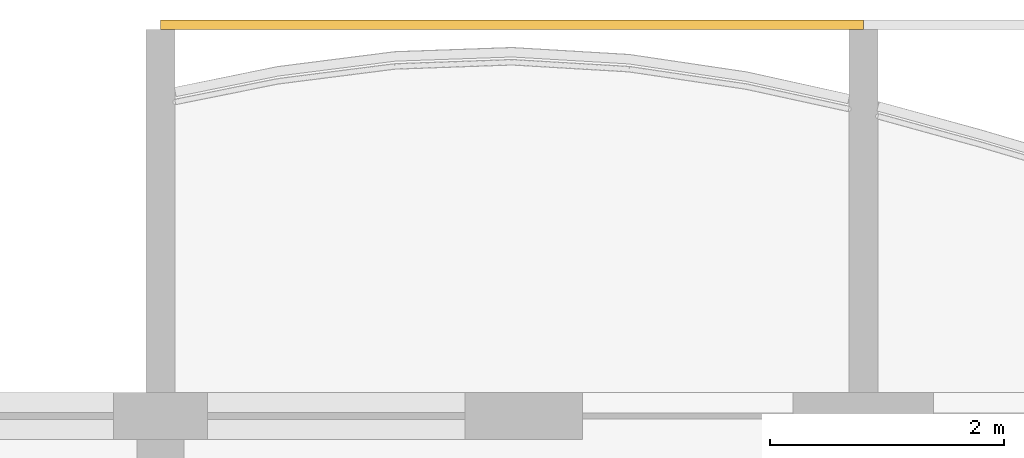
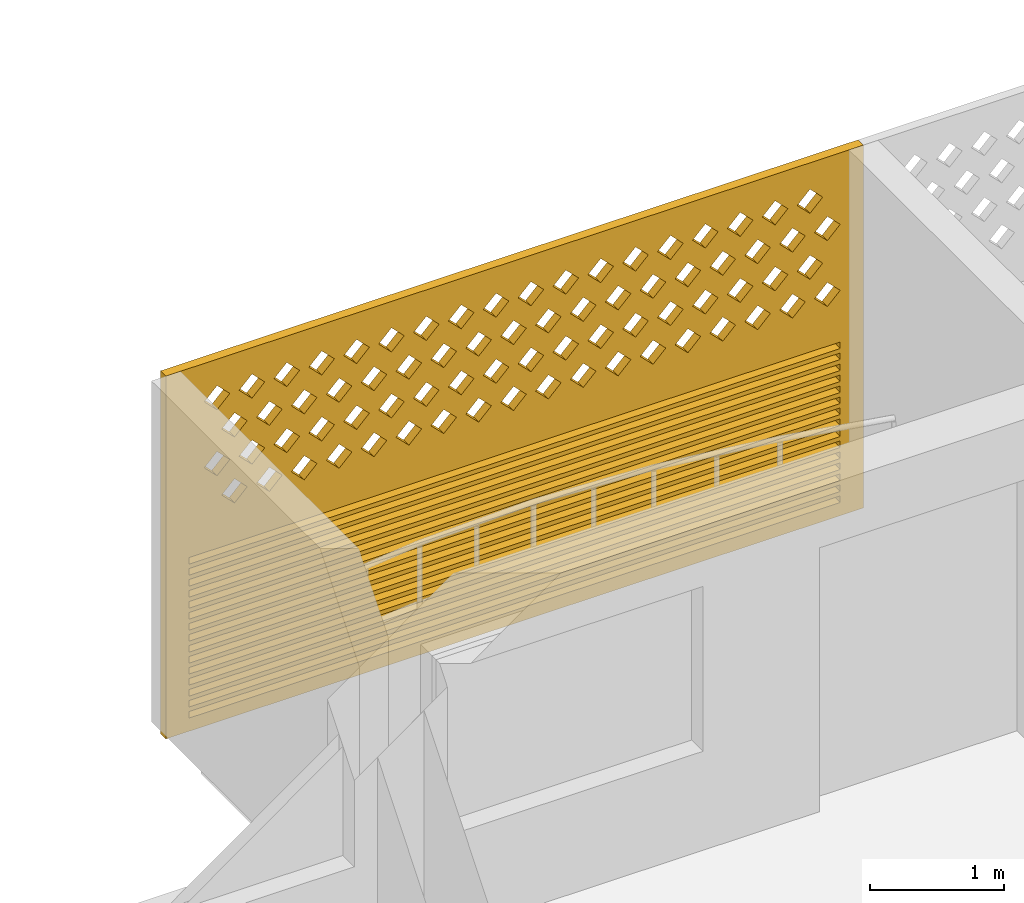
# One storey, part 30 of 39: 1 covering.
"""IFC4 building model written with IfcOpenShell, lengths in metres."""

from ifc_helpers import new_model, si_unit, direction, frame, origin, place, context, subcontext, project, spatial, polyline, outline, extrude, source, transform, mapped, material, material_profile, profile_set, type_object, element, save


model = new_model("IFC4")

# Units and contexts
model_context = context("Model", 3, precision=1e-05, world=origin(), true_north=direction((0.0, 1.0)))
body_context = subcontext(model_context, "Body", "Model", "MODEL_VIEW")
ifc_project = project(units=[si_unit("LENGTHUNIT", "METRE"), si_unit("AREAUNIT", "SQUARE_METRE"), si_unit("VOLUMEUNIT", "CUBIC_METRE"), si_unit("PLANEANGLEUNIT", "RADIAN"), si_unit("MASSUNIT", "GRAM", prefix="KILO")], contexts=[model_context])

# Site, building, storey
site_placement = place(None, origin())
site = spatial("IfcSite", under=ifc_project, at=site_placement, CompositionType="ELEMENT")
building_placement = place(site_placement, origin())
building = spatial("IfcBuilding", under=site, at=building_placement, Name="Poui Terraces", CompositionType="ELEMENT")
storey_placement = place(building_placement, frame((0.0, 0.0, 63.0)))
storey = spatial("IfcBuildingStorey", under=building, at=storey_placement, Name="L17", CompositionType="ELEMENT", Elevation=63.0)

# Covering
ifc_material = material(Name="Terracotta screen", Category="masonry")
ifc_material_profile = material_profile(ifc_material, outline(polyline([(-3.0, -1.64990234375), (3.0, -1.64990234375), (3.0, 1.64990234375), (-3.0, 1.64990234375), (-3.0, -1.64990234375)]), holes=[polyline([(-2.800048828125, 0.39990234375), (-2.68994140625, 0.2900390625), (-2.580078125, 0.39990234375), (-2.68994140625, 0.510009765625), (-2.800048828125, 0.39990234375)]), polyline([(-2.5, 0.39990234375), (-2.389892578125, 0.2900390625), (-2.280029296875, 0.39990234375), (-2.389892578125, 0.510009765625), (-2.5, 0.39990234375)]), polyline([(-2.199951171875, 0.39990234375), (-2.090087890625, 0.2900390625), (-1.97998046875, 0.39990234375), (-2.090087890625, 0.510009765625), (-2.199951171875, 0.39990234375)]), polyline([(-1.89990234375, 0.39990234375), (-1.7900390625, 0.2900390625), (-1.679931640625, 0.39990234375), (-1.7900390625, 0.510009765625), (-1.89990234375, 0.39990234375)]), polyline([(-1.60009765625, 0.39990234375), (-1.489990234375, 0.2900390625), (-1.3798828125, 0.39990234375), (-1.489990234375, 0.510009765625), (-1.60009765625, 0.39990234375)]), polyline([(-1.300048828125, 0.39990234375), (-1.18994140625, 0.2900390625), (-1.080078125, 0.39990234375), (-1.18994140625, 0.510009765625), (-1.300048828125, 0.39990234375)]), polyline([(-1.0, 0.39990234375), (-0.889892578125, 0.2900390625), (-0.780029296875, 0.39990234375), (-0.889892578125, 0.510009765625), (-1.0, 0.39990234375)]), polyline([(-0.699951171875, 0.39990234375), (-0.590087890625, 0.2900390625), (-0.47998046875, 0.39990234375), (-0.590087890625, 0.510009765625), (-0.699951171875, 0.39990234375)]), polyline([(-0.39990234375, 0.39990234375), (-0.2900390625, 0.2900390625), (-0.179931640625, 0.39990234375), (-0.2900390625, 0.510009765625), (-0.39990234375, 0.39990234375)]), polyline([(-0.10009765625, 0.39990234375), (0.010009765625, 0.2900390625), (0.1201171875, 0.39990234375), (0.010009765625, 0.510009765625), (-0.10009765625, 0.39990234375)]), polyline([(0.199951171875, 0.39990234375), (0.31005859375, 0.2900390625), (0.419921875, 0.39990234375), (0.31005859375, 0.510009765625), (0.199951171875, 0.39990234375)]), polyline([(0.5, 0.39990234375), (0.610107421875, 0.2900390625), (0.719970703125, 0.39990234375), (0.610107421875, 0.510009765625), (0.5, 0.39990234375)]), polyline([(0.800048828125, 0.39990234375), (0.909912109375, 0.2900390625), (1.02001953125, 0.39990234375), (0.909912109375, 0.510009765625), (0.800048828125, 0.39990234375)]), polyline([(1.10009765625, 0.39990234375), (1.2099609375, 0.2900390625), (1.320068359375, 0.39990234375), (1.2099609375, 0.510009765625), (1.10009765625, 0.39990234375)]), polyline([(1.39990234375, 0.39990234375), (1.510009765625, 0.2900390625), (1.6201171875, 0.39990234375), (1.510009765625, 0.510009765625), (1.39990234375, 0.39990234375)]), polyline([(1.699951171875, 0.39990234375), (1.81005859375, 0.2900390625), (1.919921875, 0.39990234375), (1.81005859375, 0.510009765625), (1.699951171875, 0.39990234375)]), polyline([(2.0, 0.39990234375), (2.110107421875, 0.2900390625), (2.219970703125, 0.39990234375), (2.110107421875, 0.510009765625), (2.0, 0.39990234375)]), polyline([(2.300048828125, 0.39990234375), (2.409912109375, 0.2900390625), (2.52001953125, 0.39990234375), (2.409912109375, 0.510009765625), (2.300048828125, 0.39990234375)]), polyline([(-2.64990234375, 0.699951171875), (-2.5400390625, 0.590087890625), (-2.429931640625, 0.699951171875), (-2.5400390625, 0.81005859375), (-2.64990234375, 0.699951171875)]), polyline([(-2.35009765625, 0.699951171875), (-2.239990234375, 0.590087890625), (-2.1298828125, 0.699951171875), (-2.239990234375, 0.81005859375), (-2.35009765625, 0.699951171875)]), polyline([(-2.050048828125, 0.699951171875), (-1.93994140625, 0.590087890625), (-1.830078125, 0.699951171875), (-1.93994140625, 0.81005859375), (-2.050048828125, 0.699951171875)]), polyline([(-1.75, 0.699951171875), (-1.639892578125, 0.590087890625), (-1.530029296875, 0.699951171875), (-1.639892578125, 0.81005859375), (-1.75, 0.699951171875)]), polyline([(-1.449951171875, 0.699951171875), (-1.340087890625, 0.590087890625), (-1.22998046875, 0.699951171875), (-1.340087890625, 0.81005859375), (-1.449951171875, 0.699951171875)]), polyline([(-1.14990234375, 0.699951171875), (-1.0400390625, 0.590087890625), (-0.929931640625, 0.699951171875), (-1.0400390625, 0.81005859375), (-1.14990234375, 0.699951171875)]), polyline([(-0.85009765625, 0.699951171875), (-0.739990234375, 0.590087890625), (-0.6298828125, 0.699951171875), (-0.739990234375, 0.81005859375), (-0.85009765625, 0.699951171875)]), polyline([(-0.550048828125, 0.699951171875), (-0.43994140625, 0.590087890625), (-0.330078125, 0.699951171875), (-0.43994140625, 0.81005859375), (-0.550048828125, 0.699951171875)]), polyline([(-0.25, 0.699951171875), (-0.139892578125, 0.590087890625), (-0.030029296875, 0.699951171875), (-0.139892578125, 0.81005859375), (-0.25, 0.699951171875)]), polyline([(0.050048828125, 0.699951171875), (0.159912109375, 0.590087890625), (0.27001953125, 0.699951171875), (0.159912109375, 0.81005859375), (0.050048828125, 0.699951171875)]), polyline([(0.35009765625, 0.699951171875), (0.4599609375, 0.590087890625), (0.570068359375, 0.699951171875), (0.4599609375, 0.81005859375), (0.35009765625, 0.699951171875)]), polyline([(0.64990234375, 0.699951171875), (0.760009765625, 0.590087890625), (0.8701171875, 0.699951171875), (0.760009765625, 0.81005859375), (0.64990234375, 0.699951171875)]), polyline([(0.949951171875, 0.699951171875), (1.06005859375, 0.590087890625), (1.169921875, 0.699951171875), (1.06005859375, 0.81005859375), (0.949951171875, 0.699951171875)]), polyline([(1.25, 0.699951171875), (1.360107421875, 0.590087890625), (1.469970703125, 0.699951171875), (1.360107421875, 0.81005859375), (1.25, 0.699951171875)]), polyline([(1.550048828125, 0.699951171875), (1.659912109375, 0.590087890625), (1.77001953125, 0.699951171875), (1.659912109375, 0.81005859375), (1.550048828125, 0.699951171875)]), polyline([(1.85009765625, 0.699951171875), (1.9599609375, 0.590087890625), (2.070068359375, 0.699951171875), (1.9599609375, 0.81005859375), (1.85009765625, 0.699951171875)]), polyline([(2.14990234375, 0.699951171875), (2.260009765625, 0.590087890625), (2.3701171875, 0.699951171875), (2.260009765625, 0.81005859375), (2.14990234375, 0.699951171875)]), polyline([(2.449951171875, 0.699951171875), (2.56005859375, 0.590087890625), (2.669921875, 0.699951171875), (2.56005859375, 0.81005859375), (2.449951171875, 0.699951171875)]), polyline([(-2.800048828125, 1.0), (-2.68994140625, 0.889892578125), (-2.580078125, 1.0), (-2.68994140625, 1.110107421875), (-2.800048828125, 1.0)]), polyline([(-2.5, 1.0), (-2.389892578125, 0.889892578125), (-2.280029296875, 1.0), (-2.389892578125, 1.110107421875), (-2.5, 1.0)]), polyline([(-2.199951171875, 1.0), (-2.090087890625, 0.889892578125), (-1.97998046875, 1.0), (-2.090087890625, 1.110107421875), (-2.199951171875, 1.0)]), polyline([(-1.89990234375, 1.0), (-1.7900390625, 0.889892578125), (-1.679931640625, 1.0), (-1.7900390625, 1.110107421875), (-1.89990234375, 1.0)]), polyline([(-1.60009765625, 1.0), (-1.489990234375, 0.889892578125), (-1.3798828125, 1.0), (-1.489990234375, 1.110107421875), (-1.60009765625, 1.0)]), polyline([(-1.300048828125, 1.0), (-1.18994140625, 0.889892578125), (-1.080078125, 1.0), (-1.18994140625, 1.110107421875), (-1.300048828125, 1.0)]), polyline([(-1.0, 1.0), (-0.889892578125, 0.889892578125), (-0.780029296875, 1.0), (-0.889892578125, 1.110107421875), (-1.0, 1.0)]), polyline([(-0.699951171875, 1.0), (-0.590087890625, 0.889892578125), (-0.47998046875, 1.0), (-0.590087890625, 1.110107421875), (-0.699951171875, 1.0)]), polyline([(-0.39990234375, 1.0), (-0.2900390625, 0.889892578125), (-0.179931640625, 1.0), (-0.2900390625, 1.110107421875), (-0.39990234375, 1.0)]), polyline([(-0.10009765625, 1.0), (0.010009765625, 0.889892578125), (0.1201171875, 1.0), (0.010009765625, 1.110107421875), (-0.10009765625, 1.0)]), polyline([(0.199951171875, 1.0), (0.31005859375, 0.889892578125), (0.419921875, 1.0), (0.31005859375, 1.110107421875), (0.199951171875, 1.0)]), polyline([(0.5, 1.0), (0.610107421875, 0.889892578125), (0.719970703125, 1.0), (0.610107421875, 1.110107421875), (0.5, 1.0)]), polyline([(0.800048828125, 1.0), (0.909912109375, 0.889892578125), (1.02001953125, 1.0), (0.909912109375, 1.110107421875), (0.800048828125, 1.0)]), polyline([(1.10009765625, 1.0), (1.2099609375, 0.889892578125), (1.320068359375, 1.0), (1.2099609375, 1.110107421875), (1.10009765625, 1.0)]), polyline([(1.39990234375, 1.0), (1.510009765625, 0.889892578125), (1.6201171875, 1.0), (1.510009765625, 1.110107421875), (1.39990234375, 1.0)]), polyline([(1.699951171875, 1.0), (1.81005859375, 0.889892578125), (1.919921875, 1.0), (1.81005859375, 1.110107421875), (1.699951171875, 1.0)]), polyline([(2.0, 1.0), (2.110107421875, 0.889892578125), (2.219970703125, 1.0), (2.110107421875, 1.110107421875), (2.0, 1.0)]), polyline([(2.300048828125, 1.0), (2.409912109375, 0.889892578125), (2.52001953125, 1.0), (2.409912109375, 1.110107421875), (2.300048828125, 1.0)]), polyline([(-2.64990234375, 1.300048828125), (-2.5400390625, 1.18994140625), (-2.429931640625, 1.300048828125), (-2.5400390625, 1.409912109375), (-2.64990234375, 1.300048828125)]), polyline([(-2.35009765625, 1.300048828125), (-2.239990234375, 1.18994140625), (-2.1298828125, 1.300048828125), (-2.239990234375, 1.409912109375), (-2.35009765625, 1.300048828125)]), polyline([(-2.050048828125, 1.300048828125), (-1.93994140625, 1.18994140625), (-1.830078125, 1.300048828125), (-1.93994140625, 1.409912109375), (-2.050048828125, 1.300048828125)]), polyline([(-1.75, 1.300048828125), (-1.639892578125, 1.18994140625), (-1.530029296875, 1.300048828125), (-1.639892578125, 1.409912109375), (-1.75, 1.300048828125)]), polyline([(-1.449951171875, 1.300048828125), (-1.340087890625, 1.18994140625), (-1.22998046875, 1.300048828125), (-1.340087890625, 1.409912109375), (-1.449951171875, 1.300048828125)]), polyline([(-1.14990234375, 1.300048828125), (-1.0400390625, 1.18994140625), (-0.929931640625, 1.300048828125), (-1.0400390625, 1.409912109375), (-1.14990234375, 1.300048828125)]), polyline([(-0.85009765625, 1.300048828125), (-0.739990234375, 1.18994140625), (-0.6298828125, 1.300048828125), (-0.739990234375, 1.409912109375), (-0.85009765625, 1.300048828125)]), polyline([(-0.550048828125, 1.300048828125), (-0.43994140625, 1.18994140625), (-0.330078125, 1.300048828125), (-0.43994140625, 1.409912109375), (-0.550048828125, 1.300048828125)]), polyline([(-0.25, 1.300048828125), (-0.139892578125, 1.18994140625), (-0.030029296875, 1.300048828125), (-0.139892578125, 1.409912109375), (-0.25, 1.300048828125)]), polyline([(0.050048828125, 1.300048828125), (0.159912109375, 1.18994140625), (0.27001953125, 1.300048828125), (0.159912109375, 1.409912109375), (0.050048828125, 1.300048828125)]), polyline([(0.35009765625, 1.300048828125), (0.4599609375, 1.18994140625), (0.570068359375, 1.300048828125), (0.4599609375, 1.409912109375), (0.35009765625, 1.300048828125)]), polyline([(0.64990234375, 1.300048828125), (0.760009765625, 1.18994140625), (0.8701171875, 1.300048828125), (0.760009765625, 1.409912109375), (0.64990234375, 1.300048828125)]), polyline([(0.949951171875, 1.300048828125), (1.06005859375, 1.18994140625), (1.169921875, 1.300048828125), (1.06005859375, 1.409912109375), (0.949951171875, 1.300048828125)]), polyline([(1.25, 1.300048828125), (1.360107421875, 1.18994140625), (1.469970703125, 1.300048828125), (1.360107421875, 1.409912109375), (1.25, 1.300048828125)]), polyline([(1.550048828125, 1.300048828125), (1.659912109375, 1.18994140625), (1.77001953125, 1.300048828125), (1.659912109375, 1.409912109375), (1.550048828125, 1.300048828125)]), polyline([(1.85009765625, 1.300048828125), (1.9599609375, 1.18994140625), (2.070068359375, 1.300048828125), (1.9599609375, 1.409912109375), (1.85009765625, 1.300048828125)]), polyline([(2.14990234375, 1.300048828125), (2.260009765625, 1.18994140625), (2.3701171875, 1.300048828125), (2.260009765625, 1.409912109375), (2.14990234375, 1.300048828125)]), polyline([(2.449951171875, 1.300048828125), (2.56005859375, 1.18994140625), (2.669921875, 1.300048828125), (2.56005859375, 1.409912109375), (2.449951171875, 1.300048828125)]), polyline([(-2.800048828125, -1.530029296875), (2.800048828125, -1.530029296875), (2.800048828125, -1.469970703125), (-2.800048828125, -1.469970703125), (-2.800048828125, -1.530029296875)]), polyline([(-2.800048828125, -1.429931640625), (2.800048828125, -1.429931640625), (2.800048828125, -1.3701171875), (-2.800048828125, -1.3701171875), (-2.800048828125, -1.429931640625)]), polyline([(-2.800048828125, -1.330078125), (2.800048828125, -1.330078125), (2.800048828125, -1.27001953125), (-2.800048828125, -1.27001953125), (-2.800048828125, -1.330078125)]), polyline([(-2.800048828125, -1.22998046875), (2.800048828125, -1.22998046875), (2.800048828125, -1.169921875), (-2.800048828125, -1.169921875), (-2.800048828125, -1.22998046875)]), polyline([(-2.800048828125, -1.1298828125), (2.800048828125, -1.1298828125), (2.800048828125, -1.070068359375), (-2.800048828125, -1.070068359375), (-2.800048828125, -1.1298828125)]), polyline([(-2.800048828125, -1.030029296875), (2.800048828125, -1.030029296875), (2.800048828125, -0.969970703125), (-2.800048828125, -0.969970703125), (-2.800048828125, -1.030029296875)]), polyline([(-2.800048828125, -0.929931640625), (2.800048828125, -0.929931640625), (2.800048828125, -0.8701171875), (-2.800048828125, -0.8701171875), (-2.800048828125, -0.929931640625)]), polyline([(-2.800048828125, -0.830078125), (2.800048828125, -0.830078125), (2.800048828125, -0.77001953125), (-2.800048828125, -0.77001953125), (-2.800048828125, -0.830078125)]), polyline([(-2.800048828125, -0.72998046875), (2.800048828125, -0.72998046875), (2.800048828125, -0.669921875), (-2.800048828125, -0.669921875), (-2.800048828125, -0.72998046875)]), polyline([(-2.800048828125, -0.6298828125), (2.800048828125, -0.6298828125), (2.800048828125, -0.570068359375), (-2.800048828125, -0.570068359375), (-2.800048828125, -0.6298828125)]), polyline([(-2.800048828125, -0.530029296875), (2.800048828125, -0.530029296875), (2.800048828125, -0.469970703125), (-2.800048828125, -0.469970703125), (-2.800048828125, -0.530029296875)]), polyline([(-2.800048828125, -0.429931640625), (2.800048828125, -0.429931640625), (2.800048828125, -0.3701171875), (-2.800048828125, -0.3701171875), (-2.800048828125, -0.429931640625)]), polyline([(-2.800048828125, -0.330078125), (2.800048828125, -0.330078125), (2.800048828125, -0.27001953125), (-2.800048828125, -0.27001953125), (-2.800048828125, -0.330078125)]), polyline([(-2.800048828125, -0.22998046875), (2.800048828125, -0.22998046875), (2.800048828125, -0.169921875), (-2.800048828125, -0.169921875), (-2.800048828125, -0.22998046875)]), polyline([(-2.800048828125, -0.1298828125), (2.800048828125, -0.1298828125), (2.800048828125, -0.070068359375), (-2.800048828125, -0.070068359375), (-2.800048828125, -0.1298828125)])]), Name="TERRACOTTA SCREEN AND JALOUSIE LOUVRE 6000X3300")
ifc_profile_set = profile_set([ifc_material_profile], Name="Terracotta screen")
covering_type = type_object("IfcCoveringType", Name="TERRACOTTA SCREEN AND JALOUSIE LOUVRE 6000X3300", PredefinedType="CLADDING", material=ifc_profile_set)
shared_shape = source(origin(), body_context, "Body", "SweptSolid", [
    extrude(outline(polyline([(-3.0, -1.64990234375), (3.0, -1.64990234375), (3.0, 1.64990234375), (-3.0, 1.64990234375), (-3.0, -1.64990234375)]), holes=[polyline([(-2.800048828125, 0.39990234375), (-2.68994140625, 0.2900390625), (-2.580078125, 0.39990234375), (-2.68994140625, 0.510009765625), (-2.800048828125, 0.39990234375)]), polyline([(-2.5, 0.39990234375), (-2.389892578125, 0.2900390625), (-2.280029296875, 0.39990234375), (-2.389892578125, 0.510009765625), (-2.5, 0.39990234375)]), polyline([(-2.199951171875, 0.39990234375), (-2.090087890625, 0.2900390625), (-1.97998046875, 0.39990234375), (-2.090087890625, 0.510009765625), (-2.199951171875, 0.39990234375)]), polyline([(-1.89990234375, 0.39990234375), (-1.7900390625, 0.2900390625), (-1.679931640625, 0.39990234375), (-1.7900390625, 0.510009765625), (-1.89990234375, 0.39990234375)]), polyline([(-1.60009765625, 0.39990234375), (-1.489990234375, 0.2900390625), (-1.3798828125, 0.39990234375), (-1.489990234375, 0.510009765625), (-1.60009765625, 0.39990234375)]), polyline([(-1.300048828125, 0.39990234375), (-1.18994140625, 0.2900390625), (-1.080078125, 0.39990234375), (-1.18994140625, 0.510009765625), (-1.300048828125, 0.39990234375)]), polyline([(-1.0, 0.39990234375), (-0.889892578125, 0.2900390625), (-0.780029296875, 0.39990234375), (-0.889892578125, 0.510009765625), (-1.0, 0.39990234375)]), polyline([(-0.699951171875, 0.39990234375), (-0.590087890625, 0.2900390625), (-0.47998046875, 0.39990234375), (-0.590087890625, 0.510009765625), (-0.699951171875, 0.39990234375)]), polyline([(-0.39990234375, 0.39990234375), (-0.2900390625, 0.2900390625), (-0.179931640625, 0.39990234375), (-0.2900390625, 0.510009765625), (-0.39990234375, 0.39990234375)]), polyline([(-0.10009765625, 0.39990234375), (0.010009765625, 0.2900390625), (0.1201171875, 0.39990234375), (0.010009765625, 0.510009765625), (-0.10009765625, 0.39990234375)]), polyline([(0.199951171875, 0.39990234375), (0.31005859375, 0.2900390625), (0.419921875, 0.39990234375), (0.31005859375, 0.510009765625), (0.199951171875, 0.39990234375)]), polyline([(0.5, 0.39990234375), (0.610107421875, 0.2900390625), (0.719970703125, 0.39990234375), (0.610107421875, 0.510009765625), (0.5, 0.39990234375)]), polyline([(0.800048828125, 0.39990234375), (0.909912109375, 0.2900390625), (1.02001953125, 0.39990234375), (0.909912109375, 0.510009765625), (0.800048828125, 0.39990234375)]), polyline([(1.10009765625, 0.39990234375), (1.2099609375, 0.2900390625), (1.320068359375, 0.39990234375), (1.2099609375, 0.510009765625), (1.10009765625, 0.39990234375)]), polyline([(1.39990234375, 0.39990234375), (1.510009765625, 0.2900390625), (1.6201171875, 0.39990234375), (1.510009765625, 0.510009765625), (1.39990234375, 0.39990234375)]), polyline([(1.699951171875, 0.39990234375), (1.81005859375, 0.2900390625), (1.919921875, 0.39990234375), (1.81005859375, 0.510009765625), (1.699951171875, 0.39990234375)]), polyline([(2.0, 0.39990234375), (2.110107421875, 0.2900390625), (2.219970703125, 0.39990234375), (2.110107421875, 0.510009765625), (2.0, 0.39990234375)]), polyline([(2.300048828125, 0.39990234375), (2.409912109375, 0.2900390625), (2.52001953125, 0.39990234375), (2.409912109375, 0.510009765625), (2.300048828125, 0.39990234375)]), polyline([(-2.64990234375, 0.699951171875), (-2.5400390625, 0.590087890625), (-2.429931640625, 0.699951171875), (-2.5400390625, 0.81005859375), (-2.64990234375, 0.699951171875)]), polyline([(-2.35009765625, 0.699951171875), (-2.239990234375, 0.590087890625), (-2.1298828125, 0.699951171875), (-2.239990234375, 0.81005859375), (-2.35009765625, 0.699951171875)]), polyline([(-2.050048828125, 0.699951171875), (-1.93994140625, 0.590087890625), (-1.830078125, 0.699951171875), (-1.93994140625, 0.81005859375), (-2.050048828125, 0.699951171875)]), polyline([(-1.75, 0.699951171875), (-1.639892578125, 0.590087890625), (-1.530029296875, 0.699951171875), (-1.639892578125, 0.81005859375), (-1.75, 0.699951171875)]), polyline([(-1.449951171875, 0.699951171875), (-1.340087890625, 0.590087890625), (-1.22998046875, 0.699951171875), (-1.340087890625, 0.81005859375), (-1.449951171875, 0.699951171875)]), polyline([(-1.14990234375, 0.699951171875), (-1.0400390625, 0.590087890625), (-0.929931640625, 0.699951171875), (-1.0400390625, 0.81005859375), (-1.14990234375, 0.699951171875)]), polyline([(-0.85009765625, 0.699951171875), (-0.739990234375, 0.590087890625), (-0.6298828125, 0.699951171875), (-0.739990234375, 0.81005859375), (-0.85009765625, 0.699951171875)]), polyline([(-0.550048828125, 0.699951171875), (-0.43994140625, 0.590087890625), (-0.330078125, 0.699951171875), (-0.43994140625, 0.81005859375), (-0.550048828125, 0.699951171875)]), polyline([(-0.25, 0.699951171875), (-0.139892578125, 0.590087890625), (-0.030029296875, 0.699951171875), (-0.139892578125, 0.81005859375), (-0.25, 0.699951171875)]), polyline([(0.050048828125, 0.699951171875), (0.159912109375, 0.590087890625), (0.27001953125, 0.699951171875), (0.159912109375, 0.81005859375), (0.050048828125, 0.699951171875)]), polyline([(0.35009765625, 0.699951171875), (0.4599609375, 0.590087890625), (0.570068359375, 0.699951171875), (0.4599609375, 0.81005859375), (0.35009765625, 0.699951171875)]), polyline([(0.64990234375, 0.699951171875), (0.760009765625, 0.590087890625), (0.8701171875, 0.699951171875), (0.760009765625, 0.81005859375), (0.64990234375, 0.699951171875)]), polyline([(0.949951171875, 0.699951171875), (1.06005859375, 0.590087890625), (1.169921875, 0.699951171875), (1.06005859375, 0.81005859375), (0.949951171875, 0.699951171875)]), polyline([(1.25, 0.699951171875), (1.360107421875, 0.590087890625), (1.469970703125, 0.699951171875), (1.360107421875, 0.81005859375), (1.25, 0.699951171875)]), polyline([(1.550048828125, 0.699951171875), (1.659912109375, 0.590087890625), (1.77001953125, 0.699951171875), (1.659912109375, 0.81005859375), (1.550048828125, 0.699951171875)]), polyline([(1.85009765625, 0.699951171875), (1.9599609375, 0.590087890625), (2.070068359375, 0.699951171875), (1.9599609375, 0.81005859375), (1.85009765625, 0.699951171875)]), polyline([(2.14990234375, 0.699951171875), (2.260009765625, 0.590087890625), (2.3701171875, 0.699951171875), (2.260009765625, 0.81005859375), (2.14990234375, 0.699951171875)]), polyline([(2.449951171875, 0.699951171875), (2.56005859375, 0.590087890625), (2.669921875, 0.699951171875), (2.56005859375, 0.81005859375), (2.449951171875, 0.699951171875)]), polyline([(-2.800048828125, 1.0), (-2.68994140625, 0.889892578125), (-2.580078125, 1.0), (-2.68994140625, 1.110107421875), (-2.800048828125, 1.0)]), polyline([(-2.5, 1.0), (-2.389892578125, 0.889892578125), (-2.280029296875, 1.0), (-2.389892578125, 1.110107421875), (-2.5, 1.0)]), polyline([(-2.199951171875, 1.0), (-2.090087890625, 0.889892578125), (-1.97998046875, 1.0), (-2.090087890625, 1.110107421875), (-2.199951171875, 1.0)]), polyline([(-1.89990234375, 1.0), (-1.7900390625, 0.889892578125), (-1.679931640625, 1.0), (-1.7900390625, 1.110107421875), (-1.89990234375, 1.0)]), polyline([(-1.60009765625, 1.0), (-1.489990234375, 0.889892578125), (-1.3798828125, 1.0), (-1.489990234375, 1.110107421875), (-1.60009765625, 1.0)]), polyline([(-1.300048828125, 1.0), (-1.18994140625, 0.889892578125), (-1.080078125, 1.0), (-1.18994140625, 1.110107421875), (-1.300048828125, 1.0)]), polyline([(-1.0, 1.0), (-0.889892578125, 0.889892578125), (-0.780029296875, 1.0), (-0.889892578125, 1.110107421875), (-1.0, 1.0)]), polyline([(-0.699951171875, 1.0), (-0.590087890625, 0.889892578125), (-0.47998046875, 1.0), (-0.590087890625, 1.110107421875), (-0.699951171875, 1.0)]), polyline([(-0.39990234375, 1.0), (-0.2900390625, 0.889892578125), (-0.179931640625, 1.0), (-0.2900390625, 1.110107421875), (-0.39990234375, 1.0)]), polyline([(-0.10009765625, 1.0), (0.010009765625, 0.889892578125), (0.1201171875, 1.0), (0.010009765625, 1.110107421875), (-0.10009765625, 1.0)]), polyline([(0.199951171875, 1.0), (0.31005859375, 0.889892578125), (0.419921875, 1.0), (0.31005859375, 1.110107421875), (0.199951171875, 1.0)]), polyline([(0.5, 1.0), (0.610107421875, 0.889892578125), (0.719970703125, 1.0), (0.610107421875, 1.110107421875), (0.5, 1.0)]), polyline([(0.800048828125, 1.0), (0.909912109375, 0.889892578125), (1.02001953125, 1.0), (0.909912109375, 1.110107421875), (0.800048828125, 1.0)]), polyline([(1.10009765625, 1.0), (1.2099609375, 0.889892578125), (1.320068359375, 1.0), (1.2099609375, 1.110107421875), (1.10009765625, 1.0)]), polyline([(1.39990234375, 1.0), (1.510009765625, 0.889892578125), (1.6201171875, 1.0), (1.510009765625, 1.110107421875), (1.39990234375, 1.0)]), polyline([(1.699951171875, 1.0), (1.81005859375, 0.889892578125), (1.919921875, 1.0), (1.81005859375, 1.110107421875), (1.699951171875, 1.0)]), polyline([(2.0, 1.0), (2.110107421875, 0.889892578125), (2.219970703125, 1.0), (2.110107421875, 1.110107421875), (2.0, 1.0)]), polyline([(2.300048828125, 1.0), (2.409912109375, 0.889892578125), (2.52001953125, 1.0), (2.409912109375, 1.110107421875), (2.300048828125, 1.0)]), polyline([(-2.64990234375, 1.300048828125), (-2.5400390625, 1.18994140625), (-2.429931640625, 1.300048828125), (-2.5400390625, 1.409912109375), (-2.64990234375, 1.300048828125)]), polyline([(-2.35009765625, 1.300048828125), (-2.239990234375, 1.18994140625), (-2.1298828125, 1.300048828125), (-2.239990234375, 1.409912109375), (-2.35009765625, 1.300048828125)]), polyline([(-2.050048828125, 1.300048828125), (-1.93994140625, 1.18994140625), (-1.830078125, 1.300048828125), (-1.93994140625, 1.409912109375), (-2.050048828125, 1.300048828125)]), polyline([(-1.75, 1.300048828125), (-1.639892578125, 1.18994140625), (-1.530029296875, 1.300048828125), (-1.639892578125, 1.409912109375), (-1.75, 1.300048828125)]), polyline([(-1.449951171875, 1.300048828125), (-1.340087890625, 1.18994140625), (-1.22998046875, 1.300048828125), (-1.340087890625, 1.409912109375), (-1.449951171875, 1.300048828125)]), polyline([(-1.14990234375, 1.300048828125), (-1.0400390625, 1.18994140625), (-0.929931640625, 1.300048828125), (-1.0400390625, 1.409912109375), (-1.14990234375, 1.300048828125)]), polyline([(-0.85009765625, 1.300048828125), (-0.739990234375, 1.18994140625), (-0.6298828125, 1.300048828125), (-0.739990234375, 1.409912109375), (-0.85009765625, 1.300048828125)]), polyline([(-0.550048828125, 1.300048828125), (-0.43994140625, 1.18994140625), (-0.330078125, 1.300048828125), (-0.43994140625, 1.409912109375), (-0.550048828125, 1.300048828125)]), polyline([(-0.25, 1.300048828125), (-0.139892578125, 1.18994140625), (-0.030029296875, 1.300048828125), (-0.139892578125, 1.409912109375), (-0.25, 1.300048828125)]), polyline([(0.050048828125, 1.300048828125), (0.159912109375, 1.18994140625), (0.27001953125, 1.300048828125), (0.159912109375, 1.409912109375), (0.050048828125, 1.300048828125)]), polyline([(0.35009765625, 1.300048828125), (0.4599609375, 1.18994140625), (0.570068359375, 1.300048828125), (0.4599609375, 1.409912109375), (0.35009765625, 1.300048828125)]), polyline([(0.64990234375, 1.300048828125), (0.760009765625, 1.18994140625), (0.8701171875, 1.300048828125), (0.760009765625, 1.409912109375), (0.64990234375, 1.300048828125)]), polyline([(0.949951171875, 1.300048828125), (1.06005859375, 1.18994140625), (1.169921875, 1.300048828125), (1.06005859375, 1.409912109375), (0.949951171875, 1.300048828125)]), polyline([(1.25, 1.300048828125), (1.360107421875, 1.18994140625), (1.469970703125, 1.300048828125), (1.360107421875, 1.409912109375), (1.25, 1.300048828125)]), polyline([(1.550048828125, 1.300048828125), (1.659912109375, 1.18994140625), (1.77001953125, 1.300048828125), (1.659912109375, 1.409912109375), (1.550048828125, 1.300048828125)]), polyline([(1.85009765625, 1.300048828125), (1.9599609375, 1.18994140625), (2.070068359375, 1.300048828125), (1.9599609375, 1.409912109375), (1.85009765625, 1.300048828125)]), polyline([(2.14990234375, 1.300048828125), (2.260009765625, 1.18994140625), (2.3701171875, 1.300048828125), (2.260009765625, 1.409912109375), (2.14990234375, 1.300048828125)]), polyline([(2.449951171875, 1.300048828125), (2.56005859375, 1.18994140625), (2.669921875, 1.300048828125), (2.56005859375, 1.409912109375), (2.449951171875, 1.300048828125)]), polyline([(-2.800048828125, -1.530029296875), (2.800048828125, -1.530029296875), (2.800048828125, -1.469970703125), (-2.800048828125, -1.469970703125), (-2.800048828125, -1.530029296875)]), polyline([(-2.800048828125, -1.429931640625), (2.800048828125, -1.429931640625), (2.800048828125, -1.3701171875), (-2.800048828125, -1.3701171875), (-2.800048828125, -1.429931640625)]), polyline([(-2.800048828125, -1.330078125), (2.800048828125, -1.330078125), (2.800048828125, -1.27001953125), (-2.800048828125, -1.27001953125), (-2.800048828125, -1.330078125)]), polyline([(-2.800048828125, -1.22998046875), (2.800048828125, -1.22998046875), (2.800048828125, -1.169921875), (-2.800048828125, -1.169921875), (-2.800048828125, -1.22998046875)]), polyline([(-2.800048828125, -1.1298828125), (2.800048828125, -1.1298828125), (2.800048828125, -1.070068359375), (-2.800048828125, -1.070068359375), (-2.800048828125, -1.1298828125)]), polyline([(-2.800048828125, -1.030029296875), (2.800048828125, -1.030029296875), (2.800048828125, -0.969970703125), (-2.800048828125, -0.969970703125), (-2.800048828125, -1.030029296875)]), polyline([(-2.800048828125, -0.929931640625), (2.800048828125, -0.929931640625), (2.800048828125, -0.8701171875), (-2.800048828125, -0.8701171875), (-2.800048828125, -0.929931640625)]), polyline([(-2.800048828125, -0.830078125), (2.800048828125, -0.830078125), (2.800048828125, -0.77001953125), (-2.800048828125, -0.77001953125), (-2.800048828125, -0.830078125)]), polyline([(-2.800048828125, -0.72998046875), (2.800048828125, -0.72998046875), (2.800048828125, -0.669921875), (-2.800048828125, -0.669921875), (-2.800048828125, -0.72998046875)]), polyline([(-2.800048828125, -0.6298828125), (2.800048828125, -0.6298828125), (2.800048828125, -0.570068359375), (-2.800048828125, -0.570068359375), (-2.800048828125, -0.6298828125)]), polyline([(-2.800048828125, -0.530029296875), (2.800048828125, -0.530029296875), (2.800048828125, -0.469970703125), (-2.800048828125, -0.469970703125), (-2.800048828125, -0.530029296875)]), polyline([(-2.800048828125, -0.429931640625), (2.800048828125, -0.429931640625), (2.800048828125, -0.3701171875), (-2.800048828125, -0.3701171875), (-2.800048828125, -0.429931640625)]), polyline([(-2.800048828125, -0.330078125), (2.800048828125, -0.330078125), (2.800048828125, -0.27001953125), (-2.800048828125, -0.27001953125), (-2.800048828125, -0.330078125)]), polyline([(-2.800048828125, -0.22998046875), (2.800048828125, -0.22998046875), (2.800048828125, -0.169921875), (-2.800048828125, -0.169921875), (-2.800048828125, -0.22998046875)]), polyline([(-2.800048828125, -0.1298828125), (2.800048828125, -0.1298828125), (2.800048828125, -0.070068359375), (-2.800048828125, -0.070068359375), (-2.800048828125, -0.1298828125)])]), origin(), (0.0, 0.0, 1.0), 0.079833984375),
])
covering_placement = place(storey_placement, frame((57.0, 48.10009765625, 1.449951171875), z_axis=(0.0, 1.0, 0.0), x_axis=(-1.0, 0.0, 0.0)))
element("IfcCovering", 1, at=covering_placement, inside=storey, type_object=covering_type, Name="SOLAR SCREEN AND JALOUSIE LOUVRE", PredefinedType="CLADDING", context=body_context, shape_type="MappedRepresentation", body=[
    mapped(shared_shape, transform((0.0, 0.0, 0.0))),
])

save(model, "model.ifc")
